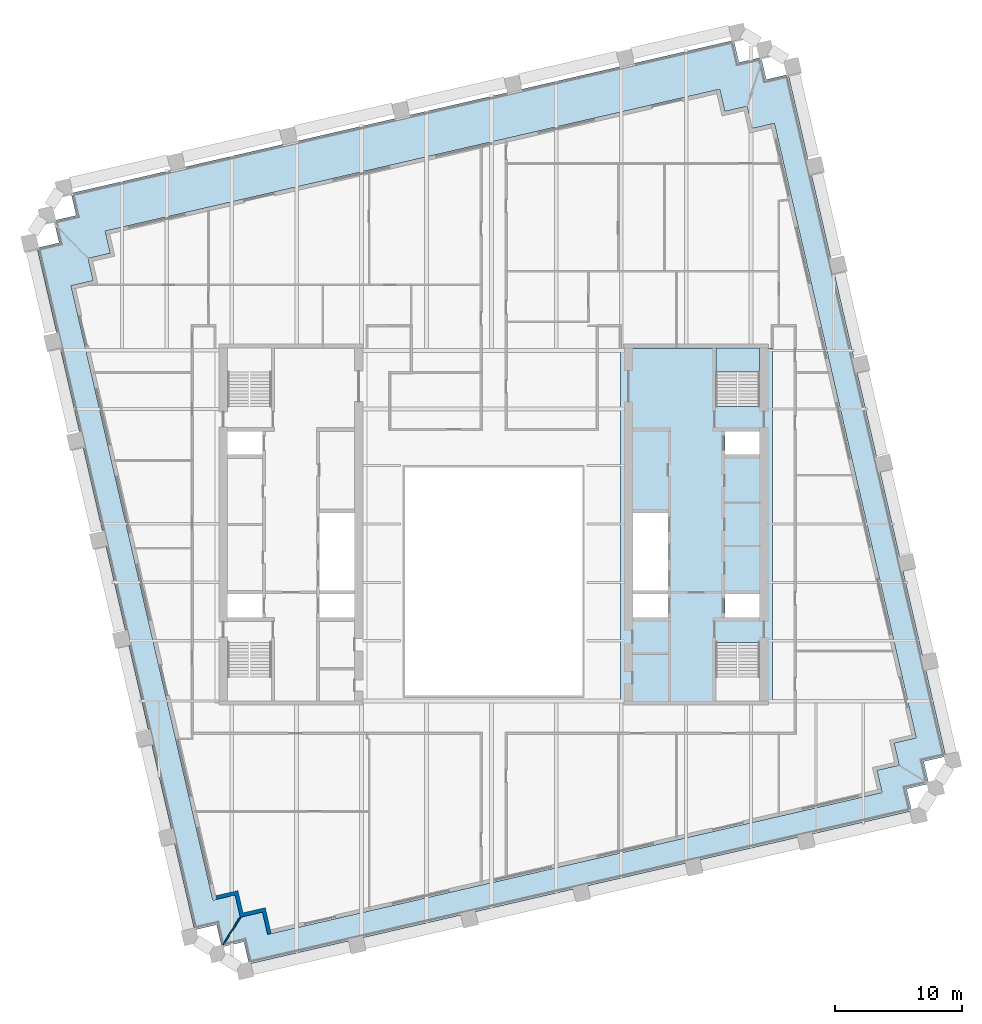
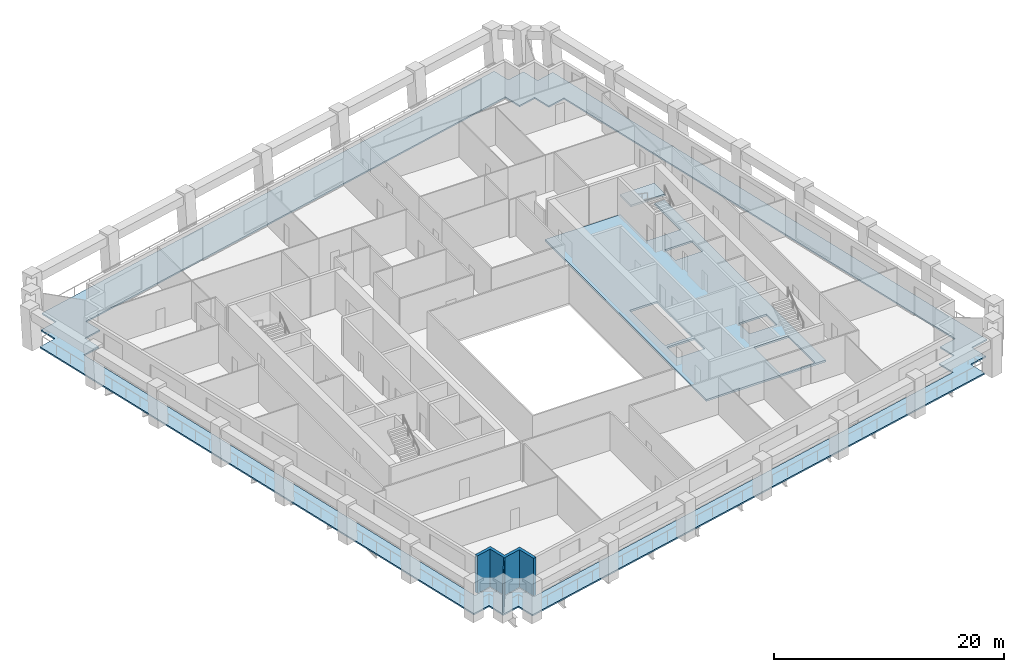
# One storey, part 3 of 11: 3 slabs, 2 walls, 1 element without a shape of its own.
"""IFC4 building model written with IfcOpenShell, lengths in metres."""

from ifc_helpers import new_model, si_unit, direction, frame, frame_2d, origin, place, context, subcontext, project, spatial, polyline, rectangle, outline, extrude, material, layer, layer_set, type_object, element, aggregate, save


model = new_model("IFC4")

# Units and contexts
model_context = context("Model", 3, precision=1e-05, world=origin(), true_north=direction((0.0, 1.0)))
body_context = subcontext(model_context, "Body", "Model", "MODEL_VIEW")
ifc_project = project(units=[si_unit("LENGTHUNIT", "METRE"), si_unit("AREAUNIT", "SQUARE_METRE"), si_unit("VOLUMEUNIT", "CUBIC_METRE"), si_unit("PLANEANGLEUNIT", "RADIAN"), si_unit("MASSUNIT", "GRAM", prefix="KILO")], contexts=[model_context])

# Site, building, storey
site_placement = place(None, origin())
site = spatial("IfcSite", under=ifc_project, at=site_placement, CompositionType="ELEMENT")
building_placement = place(site_placement, origin())
building = spatial("IfcBuilding", under=site, at=building_placement, Name="Ogive Exchange Tower", CompositionType="ELEMENT")
storey_placement = place(building_placement, frame((0.0, 0.0, 184.199951171875)))
storey = spatial("IfcBuildingStorey", under=building, at=storey_placement, Name="L40", CompositionType="ELEMENT", Elevation=184.199951171875)

# Slabs
ifc_material_1 = material(Name="Concrete C70/85", Category="concrete")
ifc_layer_1 = layer(ifc_material_1, 0.199951171875)
ifc_layer_set_1 = layer_set([ifc_layer_1], Name="Core floor slab 200")
slab_type_1 = type_object("IfcSlabType", Name="Core floor slab 200", PredefinedType="FLOOR", material=ifc_layer_set_1)
slab_1_placement = place(storey_placement, frame((0.0, 0.0, -0.199951171875)))
element("IfcSlab", 1, at=slab_1_placement, inside=storey, type_object=slab_type_1, Name="Core floor slab", PredefinedType="FLOOR", context=body_context, shape_type="SweptSolid", body=[
    extrude(outline(polyline([(22.0, 25.39990234375), (22.0, -2.60009765625), (10.0, -2.60009765625), (10.0, 25.39990234375), (17.550048828125, 25.39990234375), (17.550048828125, 20.803955078125), (21.0, 20.803955078125), (21.0, 25.39990234375), (22.0, 25.39990234375)]), holes=[polyline([(21.0, 2.196044921875), (17.550048828125, 2.196044921875), (17.550048828125, -2.449951171875), (21.0, -2.449951171875), (21.0, 2.196044921875)]), polyline([(13.75, 5.992919921875), (11.0, 5.992919921875), (11.0, 4.14990234375), (13.75, 4.14990234375), (13.75, 5.992919921875)]), polyline([(21.0, 5.992919921875), (18.25, 5.992919921875), (18.25, 4.14990234375), (21.0, 4.14990234375), (21.0, 5.992919921875)]), polyline([(11.0, 12.42138671875), (11.0, 6.29296875), (13.75, 6.29296875), (13.75, 12.42138671875), (11.0, 12.42138671875)]), polyline([(21.0, 18.85009765625), (18.25, 18.85009765625), (18.25, 17.007080078125), (21.0, 17.007080078125), (21.0, 18.85009765625)])]), origin(), (0.0, 0.0, 1.0), 0.199951171875),
])
ifc_material_2 = material(Name="Concrete C50/60", Category="concrete")
ifc_layer_2 = layer(ifc_material_2, 0.14990234375)
ifc_layer_set_2 = layer_set([ifc_layer_2], Name="Loggia deck 150")
slab_type_2 = type_object("IfcSlabType", Name="Loggia deck 150", PredefinedType="FLOOR", material=ifc_layer_set_2)
slab_2_placement = place(storey_placement, frame((0.0, 0.0, -0.199951171875)))
element("IfcSlab", 2, at=slab_2_placement, inside=storey, type_object=slab_type_2, Name="Loggia deck", PredefinedType="FLOOR", context=body_context, shape_type="SweptSolid", body=[
    extrude(outline(polyline([(-19.717041015625, -21.45556640625), (-21.470947265625, -21.860595703125), (-21.875732421875, -20.106689453125), (-23.629638671875, -20.51171875), (-36.06103515625, 33.3349609375), (-34.30712890625, 33.739990234375), (-34.712158203125, 35.493896484375), (-32.958251953125, 35.898681640625), (-33.36328125, 37.652587890625), (18.96044921875, 49.732421875), (19.365478515625, 47.978515625), (21.119384765625, 48.383544921875), (21.524169921875, 46.629638671875), (23.278076171875, 47.03466796875), (35.70947265625, -6.81201171875), (33.95556640625, -7.217041015625), (34.360595703125, -8.970947265625), (32.606689453125, -9.375732421875), (33.01171875, -11.129638671875), (-19.31201171875, -23.20947265625), (-19.717041015625, -21.45556640625)]), holes=[polyline([(30.26806640625, -7.914306640625), (32.02197265625, -7.509521484375), (31.616943359375, -5.755615234375), (33.370849609375, -5.3505859375), (22.168212890625, 43.1728515625), (20.414306640625, 42.76806640625), (20.009521484375, 44.52197265625), (18.255615234375, 44.116943359375), (17.8505859375, 45.870849609375), (-30.6728515625, 34.668212890625), (-30.26806640625, 32.914306640625), (-32.02197265625, 32.509521484375), (-31.616943359375, 30.755615234375), (-33.370849609375, 30.3505859375), (-22.168212890625, -18.1728515625), (-20.414306640625, -17.76806640625), (-20.009521484375, -19.52197265625), (-18.255615234375, -19.116943359375), (-17.8505859375, -20.870849609375), (30.6728515625, -9.668212890625), (30.26806640625, -7.914306640625)])]), origin(), (0.0, 0.0, 1.0), 0.14990234375),
])

# Stair, slab
ifc_material_3 = material(Name="Concrete C40/50", Category="concrete")
stair_type = type_object("IfcStairType", Name="Exit stair 1650 wide", PredefinedType="HALF_TURN_STAIR", material=ifc_material_3)
stair_placement = place(storey_placement, origin())
stair = element("IfcStair", 3, at=stair_placement, inside=storey, type_object=stair_type, Name="L40 exit stair ST4", PredefinedType="HALF_TURN_STAIR")
ifc_layer_3 = layer(ifc_material_3, 0.199951171875)
ifc_layer_set_3 = layer_set([ifc_layer_3], Name="Stair landing 200 slab")
slab_type_3 = type_object("IfcSlabType", Name="Stair landing 200 slab", PredefinedType="LANDING", material=ifc_layer_set_3)
slab_3_placement = place(storey_placement, frame((0.0, 0.0, 1.900146484375)))
slab_3 = element("IfcSlab", 4, at=slab_3_placement, type_object=slab_type_3, Name="ST4 landing 1", PredefinedType="LANDING", context=body_context, shape_type="SweptSolid", body=[
    extrude(outline(polyline([(21.0, 23.550048828125), (21.0, 25.449951171875), (17.550048828125, 25.449951171875), (17.550048828125, 23.550048828125), (21.0, 23.550048828125)])), origin(), (0.0, 0.0, 1.0), 0.199951171875),
])
aggregate(stair, [slab_3])

# Walls
ifc_material_4 = material(Name="Precast concrete C40/50", Category="concrete")
ifc_layer_4 = layer(ifc_material_4, 0.300048828125)
ifc_layer_set_4 = layer_set([ifc_layer_4], Name="Limestone-faced wall 300")
wall_type_1 = type_object("IfcWallType", Name="Limestone-faced wall 300", PredefinedType="STANDARD", material=ifc_layer_set_4)
wall_1_placement = place(storey_placement, origin())
element("IfcWall", 5, at=wall_1_placement, inside=storey, type_object=wall_type_1, Name="External corner wall C4", PredefinedType="STANDARD", context=body_context, shape_type="SweptSolid", body=[
    extrude(outline(polyline([(-18.255615234375, -19.116943359375), (-20.009521484375, -19.52197265625), (-20.414306640625, -17.76806640625), (-21.8759765625, -18.10546875), (-21.943359375, -17.81298828125), (-20.189697265625, -17.408203125), (-19.78466796875, -19.162109375), (-18.03076171875, -18.757080078125), (-17.558349609375, -20.80322265625), (-17.8505859375, -20.870849609375), (-18.255615234375, -19.116943359375)])), origin(), (0.0, 0.0, 1.0), 4.0),
])
ifc_material_5 = material(Name="Laminated safety glass in steel frame", Category="steel")
ifc_layer_5 = layer(ifc_material_5, 0.10009765625)
ifc_layer_set_5 = layer_set([ifc_layer_5], Name="Loggia end screen 100")
wall_type_2 = type_object("IfcWallType", Name="Loggia end screen 100", PredefinedType="STANDARD", material=ifc_layer_set_5)
wall_2_placement = place(storey_placement, frame((-20.009521484375, -19.52197265625, -0.050048828125), z_axis=(0.0, 0.0, 1.0), x_axis=(-0.529920736377, -0.848047176257, 0.0)))
element("IfcWall", 6, at=wall_2_placement, inside=storey, type_object=wall_type_2, Name="Loggia end screen C4", PredefinedType="STANDARD", context=body_context, shape_type="SweptSolid", body=[
    extrude(rectangle(XDim=2.525634765625, YDim=0.10009765625, at=frame_2d((1.2626953125, 0.0))), origin(), (0.0, 0.0, 1.0), 4.050048828125),
])

save(model, "model.ifc")
